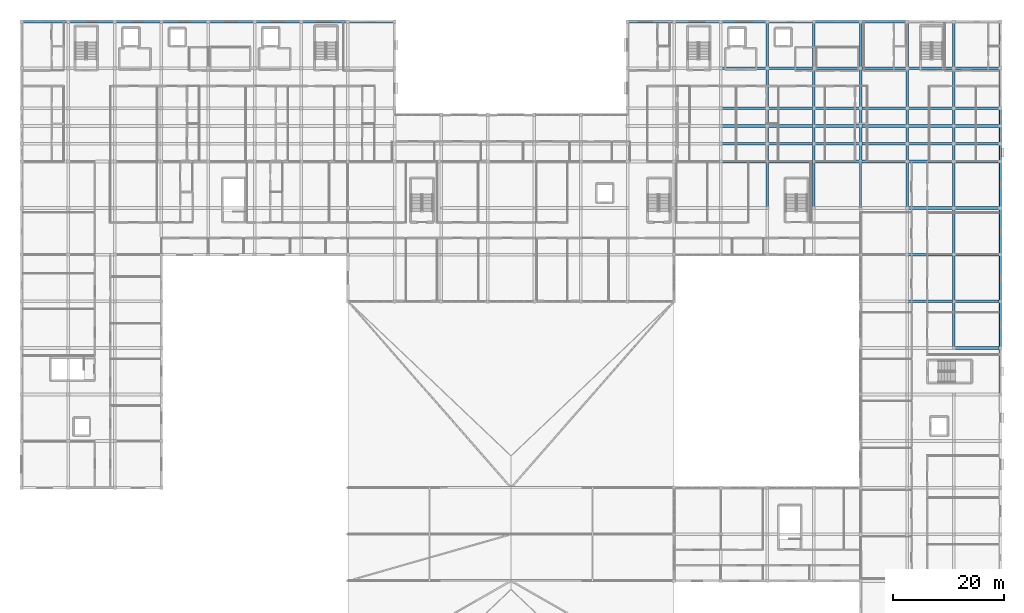
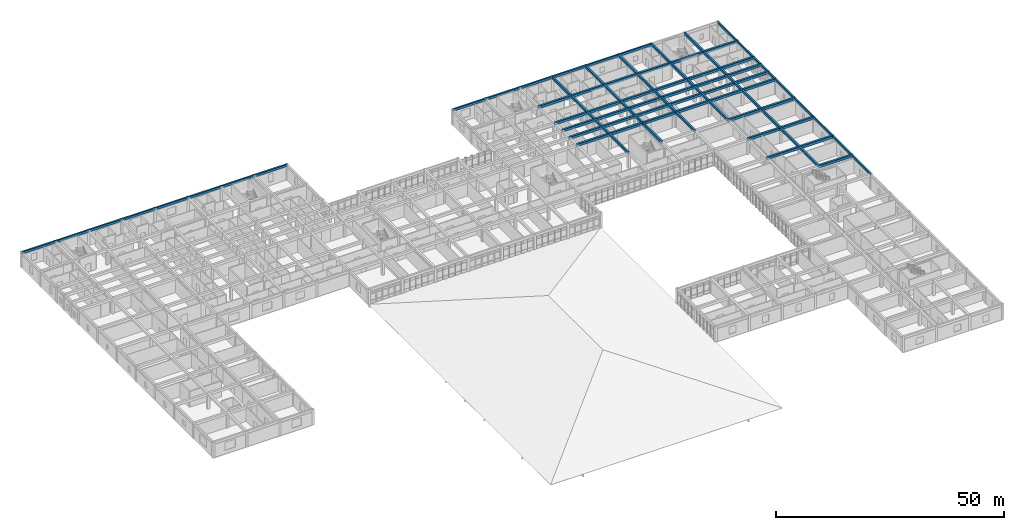
# One storey, part 31 of 77: 94 beams.
"""IFC4 building model written with IfcOpenShell, lengths in metres."""

from ifc_helpers import new_model, si_unit, direction, frame, origin, origin_2d, place, context, subcontext, project, spatial, rectangle, extrude, material, material_profile, profile_set, type_object, element, save


model = new_model("IFC4")

# Units and contexts
model_context = context("Model", 3, precision=1e-05, world=origin(), true_north=direction((0.0, 1.0)))
body_context = subcontext(model_context, "Body", "Model", "MODEL_VIEW")
ifc_project = project(units=[si_unit("LENGTHUNIT", "METRE"), si_unit("AREAUNIT", "SQUARE_METRE"), si_unit("VOLUMEUNIT", "CUBIC_METRE"), si_unit("PLANEANGLEUNIT", "RADIAN"), si_unit("MASSUNIT", "GRAM", prefix="KILO")], contexts=[model_context])

# Site, building, storey
site_placement = place(None, origin())
site = spatial("IfcSite", under=ifc_project, at=site_placement, CompositionType="ELEMENT")
building_placement = place(site_placement, origin())
building = spatial("IfcBuilding", under=site, at=building_placement, Name="Varncliffe General Hospital", CompositionType="ELEMENT")
storey_placement = place(building_placement, frame((0.0, 0.0, 16.199951171875)))
storey = spatial("IfcBuildingStorey", under=building, at=storey_placement, Name="L03", CompositionType="ELEMENT", Elevation=16.199951171875)

# Beams
ifc_material = material(Name="Concrete C35/45 (CSA A23.1 35 MPa)", Category="concrete")
ifc_material_profile_1 = material_profile(ifc_material, rectangle(XDim=0.5, YDim=0.64990234375, at=origin_2d()), Name="RC 500x650")
ifc_profile_set_1 = profile_set([ifc_material_profile_1], Name="Concrete C35/45 (CSA A23.1 35 MPa)")
beam_type_1 = type_object("IfcBeamType", Name="Beam B29 (Int RC 500x650)", PredefinedType="BEAM", material=ifc_profile_set_1)
for number, where, z_axis, x_axis, name in (
    (1, (168.0, 66.0, 3.875), (1.0, 0.0, 0.0), (0.0, 1.0, 0.0), "L03 Primary Beam B29-51"),
    (2, (159.60009765625, 74.39990234375, 3.875), (1.0, 0.0, 0.0), (0.0, 1.0, 0.0), "L03 Primary Beam B29-63"),
    (3, (168.0, 74.39990234375, 3.875), (1.0, 0.0, 0.0), (0.0, 1.0, 0.0), "L03 Primary Beam B29-64"),
    (4, (159.60009765625, 82.800048828125, 3.875), (1.0, 0.0, 0.0), (0.0, 1.0, 0.0), "L03 Primary Beam B29-84"),
    (5, (168.0, 82.800048828125, 3.875), (1.0, 0.0, 0.0), (0.0, 1.0, 0.0), "L03 Primary Beam B29-85"),
    (6, (159.60009765625, 91.199951171875, 3.875), (1.0, 0.0, 0.0), (0.0, 1.0, 0.0), "L03 Primary Beam B29-102"),
    (7, (168.0, 91.199951171875, 3.875), (1.0, 0.0, 0.0), (0.0, 1.0, 0.0), "L03 Primary Beam B29-103"),
    (8, (126.0, 99.60009765625, 3.875), (1.0, 0.0, 0.0), (0.0, 1.0, 0.0), "L03 Primary Beam B29-119"),
):
    element("IfcBeam", number, at=place(storey_placement, frame(where, z_axis=z_axis, x_axis=x_axis)), inside=storey, type_object=beam_type_1, Name=name, PredefinedType="BEAM", context=body_context, shape_type="SweptSolid", body=[
        extrude(rectangle(XDim=0.5, YDim=0.64990234375, at=origin_2d()), origin(), (0.0, 0.0, 1.0), 8.39990234375),
    ])
beam_1_placement = place(storey_placement, frame((134.39990234375, 99.60009765625, 3.875), z_axis=(1.0, 0.0, 0.0), x_axis=(0.0, 1.0, 0.0)))
element("IfcBeam", 9, at=beam_1_placement, inside=storey, type_object=beam_type_1, Name="L03 Primary Beam B29-120", PredefinedType="BEAM", context=body_context, shape_type="SweptSolid", body=[
    extrude(rectangle(XDim=0.5, YDim=0.64990234375, at=origin_2d()), origin(), (0.0, 0.0, 1.0), 8.400146484375),
])
beam_2_placement = place(storey_placement, frame((142.800048828125, 99.60009765625, 3.875), z_axis=(1.0, 0.0, 0.0), x_axis=(0.0, 1.0, 0.0)))
element("IfcBeam", 10, at=beam_2_placement, inside=storey, type_object=beam_type_1, Name="L03 Primary Beam B29-121", PredefinedType="BEAM", context=body_context, shape_type="SweptSolid", body=[
    extrude(rectangle(XDim=0.5, YDim=0.64990234375, at=origin_2d()), origin(), (0.0, 0.0, 1.0), 8.39990234375),
])
beam_3_placement = place(storey_placement, frame((151.199951171875, 99.60009765625, 3.875), z_axis=(1.0, 0.0, 0.0), x_axis=(0.0, 1.0, 0.0)))
element("IfcBeam", 11, at=beam_3_placement, inside=storey, type_object=beam_type_1, Name="L03 Primary Beam B29-122", PredefinedType="BEAM", context=body_context, shape_type="SweptSolid", body=[
    extrude(rectangle(XDim=0.5, YDim=0.64990234375, at=origin_2d()), origin(), (0.0, 0.0, 1.0), 8.400146484375),
])
for number, where, z_axis, x_axis, name in (
    (12, (159.60009765625, 99.60009765625, 3.875), (1.0, 0.0, 0.0), (0.0, 1.0, 0.0), "L03 Primary Beam B29-123"),
    (13, (168.0, 99.60009765625, 3.875), (1.0, 0.0, 0.0), (0.0, 1.0, 0.0), "L03 Primary Beam B29-124"),
    (14, (126.0, 102.800048828125, 3.875), (1.0, 0.0, 0.0), (0.0, 1.0, 0.0), "L03 Primary Beam B29-140"),
):
    element("IfcBeam", number, at=place(storey_placement, frame(where, z_axis=z_axis, x_axis=x_axis)), inside=storey, type_object=beam_type_1, Name=name, PredefinedType="BEAM", context=body_context, shape_type="SweptSolid", body=[
        extrude(rectangle(XDim=0.5, YDim=0.64990234375, at=origin_2d()), origin(), (0.0, 0.0, 1.0), 8.39990234375),
    ])
beam_4_placement = place(storey_placement, frame((134.39990234375, 102.800048828125, 3.875), z_axis=(1.0, 0.0, 0.0), x_axis=(0.0, 1.0, 0.0)))
element("IfcBeam", 15, at=beam_4_placement, inside=storey, type_object=beam_type_1, Name="L03 Primary Beam B29-141", PredefinedType="BEAM", context=body_context, shape_type="SweptSolid", body=[
    extrude(rectangle(XDim=0.5, YDim=0.64990234375, at=origin_2d()), origin(), (0.0, 0.0, 1.0), 8.400146484375),
])
beam_5_placement = place(storey_placement, frame((142.800048828125, 102.800048828125, 3.875), z_axis=(1.0, 0.0, 0.0), x_axis=(0.0, 1.0, 0.0)))
element("IfcBeam", 16, at=beam_5_placement, inside=storey, type_object=beam_type_1, Name="L03 Primary Beam B29-142", PredefinedType="BEAM", context=body_context, shape_type="SweptSolid", body=[
    extrude(rectangle(XDim=0.5, YDim=0.64990234375, at=origin_2d()), origin(), (0.0, 0.0, 1.0), 8.39990234375),
])
beam_6_placement = place(storey_placement, frame((151.199951171875, 102.800048828125, 3.875), z_axis=(1.0, 0.0, 0.0), x_axis=(0.0, 1.0, 0.0)))
element("IfcBeam", 17, at=beam_6_placement, inside=storey, type_object=beam_type_1, Name="L03 Primary Beam B29-143", PredefinedType="BEAM", context=body_context, shape_type="SweptSolid", body=[
    extrude(rectangle(XDim=0.5, YDim=0.64990234375, at=origin_2d()), origin(), (0.0, 0.0, 1.0), 8.400146484375),
])
for number, where, z_axis, x_axis, name in (
    (18, (159.60009765625, 102.800048828125, 3.875), (1.0, 0.0, 0.0), (0.0, 1.0, 0.0), "L03 Primary Beam B29-144"),
    (19, (168.0, 102.800048828125, 3.875), (1.0, 0.0, 0.0), (0.0, 1.0, 0.0), "L03 Primary Beam B29-145"),
    (20, (126.0, 106.0, 3.875), (1.0, 0.0, 0.0), (0.0, 1.0, 0.0), "L03 Primary Beam B29-156"),
):
    element("IfcBeam", number, at=place(storey_placement, frame(where, z_axis=z_axis, x_axis=x_axis)), inside=storey, type_object=beam_type_1, Name=name, PredefinedType="BEAM", context=body_context, shape_type="SweptSolid", body=[
        extrude(rectangle(XDim=0.5, YDim=0.64990234375, at=origin_2d()), origin(), (0.0, 0.0, 1.0), 8.39990234375),
    ])
beam_7_placement = place(storey_placement, frame((134.39990234375, 106.0, 3.875), z_axis=(1.0, 0.0, 0.0), x_axis=(0.0, 1.0, 0.0)))
element("IfcBeam", 21, at=beam_7_placement, inside=storey, type_object=beam_type_1, Name="L03 Primary Beam B29-157", PredefinedType="BEAM", context=body_context, shape_type="SweptSolid", body=[
    extrude(rectangle(XDim=0.5, YDim=0.64990234375, at=origin_2d()), origin(), (0.0, 0.0, 1.0), 8.400146484375),
])
beam_8_placement = place(storey_placement, frame((142.800048828125, 106.0, 3.875), z_axis=(1.0, 0.0, 0.0), x_axis=(0.0, 1.0, 0.0)))
element("IfcBeam", 22, at=beam_8_placement, inside=storey, type_object=beam_type_1, Name="L03 Primary Beam B29-158", PredefinedType="BEAM", context=body_context, shape_type="SweptSolid", body=[
    extrude(rectangle(XDim=0.5, YDim=0.64990234375, at=origin_2d()), origin(), (0.0, 0.0, 1.0), 8.39990234375),
])
beam_9_placement = place(storey_placement, frame((151.199951171875, 106.0, 3.875), z_axis=(1.0, 0.0, 0.0), x_axis=(0.0, 1.0, 0.0)))
element("IfcBeam", 23, at=beam_9_placement, inside=storey, type_object=beam_type_1, Name="L03 Primary Beam B29-159", PredefinedType="BEAM", context=body_context, shape_type="SweptSolid", body=[
    extrude(rectangle(XDim=0.5, YDim=0.64990234375, at=origin_2d()), origin(), (0.0, 0.0, 1.0), 8.400146484375),
])
for number, where, z_axis, x_axis, name in (
    (24, (159.60009765625, 106.0, 3.875), (1.0, 0.0, 0.0), (0.0, 1.0, 0.0), "L03 Primary Beam B29-160"),
    (25, (168.0, 106.0, 3.875), (1.0, 0.0, 0.0), (0.0, 1.0, 0.0), "L03 Primary Beam B29-161"),
    (26, (126.0, 109.199951171875, 3.875), (1.0, 0.0, 0.0), (0.0, 1.0, 0.0), "L03 Primary Beam B29-175"),
):
    element("IfcBeam", number, at=place(storey_placement, frame(where, z_axis=z_axis, x_axis=x_axis)), inside=storey, type_object=beam_type_1, Name=name, PredefinedType="BEAM", context=body_context, shape_type="SweptSolid", body=[
        extrude(rectangle(XDim=0.5, YDim=0.64990234375, at=origin_2d()), origin(), (0.0, 0.0, 1.0), 8.39990234375),
    ])
beam_10_placement = place(storey_placement, frame((134.39990234375, 109.199951171875, 3.875), z_axis=(1.0, 0.0, 0.0), x_axis=(0.0, 1.0, 0.0)))
element("IfcBeam", 27, at=beam_10_placement, inside=storey, type_object=beam_type_1, Name="L03 Primary Beam B29-176", PredefinedType="BEAM", context=body_context, shape_type="SweptSolid", body=[
    extrude(rectangle(XDim=0.5, YDim=0.64990234375, at=origin_2d()), origin(), (0.0, 0.0, 1.0), 8.400146484375),
])
beam_11_placement = place(storey_placement, frame((142.800048828125, 109.199951171875, 3.875), z_axis=(1.0, 0.0, 0.0), x_axis=(0.0, 1.0, 0.0)))
element("IfcBeam", 28, at=beam_11_placement, inside=storey, type_object=beam_type_1, Name="L03 Primary Beam B29-177", PredefinedType="BEAM", context=body_context, shape_type="SweptSolid", body=[
    extrude(rectangle(XDim=0.5, YDim=0.64990234375, at=origin_2d()), origin(), (0.0, 0.0, 1.0), 8.39990234375),
])
beam_12_placement = place(storey_placement, frame((151.199951171875, 109.199951171875, 3.875), z_axis=(1.0, 0.0, 0.0), x_axis=(0.0, 1.0, 0.0)))
element("IfcBeam", 29, at=beam_12_placement, inside=storey, type_object=beam_type_1, Name="L03 Primary Beam B29-178", PredefinedType="BEAM", context=body_context, shape_type="SweptSolid", body=[
    extrude(rectangle(XDim=0.5, YDim=0.64990234375, at=origin_2d()), origin(), (0.0, 0.0, 1.0), 8.400146484375),
])
for number, where, z_axis, x_axis, name in (
    (30, (159.60009765625, 109.199951171875, 3.875), (1.0, 0.0, 0.0), (0.0, 1.0, 0.0), "L03 Primary Beam B29-179"),
    (31, (168.0, 109.199951171875, 3.875), (1.0, 0.0, 0.0), (0.0, 1.0, 0.0), "L03 Primary Beam B29-180"),
    (32, (126.0, 116.39990234375, 3.875), (1.0, 0.0, 0.0), (0.0, 1.0, 0.0), "L03 Primary Beam B29-191"),
):
    element("IfcBeam", number, at=place(storey_placement, frame(where, z_axis=z_axis, x_axis=x_axis)), inside=storey, type_object=beam_type_1, Name=name, PredefinedType="BEAM", context=body_context, shape_type="SweptSolid", body=[
        extrude(rectangle(XDim=0.5, YDim=0.64990234375, at=origin_2d()), origin(), (0.0, 0.0, 1.0), 8.39990234375),
    ])
beam_13_placement = place(storey_placement, frame((134.39990234375, 116.39990234375, 3.875), z_axis=(1.0, 0.0, 0.0), x_axis=(0.0, 1.0, 0.0)))
element("IfcBeam", 33, at=beam_13_placement, inside=storey, type_object=beam_type_1, Name="L03 Primary Beam B29-192", PredefinedType="BEAM", context=body_context, shape_type="SweptSolid", body=[
    extrude(rectangle(XDim=0.5, YDim=0.64990234375, at=origin_2d()), origin(), (0.0, 0.0, 1.0), 8.400146484375),
])
beam_14_placement = place(storey_placement, frame((142.800048828125, 116.39990234375, 3.875), z_axis=(1.0, 0.0, 0.0), x_axis=(0.0, 1.0, 0.0)))
element("IfcBeam", 34, at=beam_14_placement, inside=storey, type_object=beam_type_1, Name="L03 Primary Beam B29-193", PredefinedType="BEAM", context=body_context, shape_type="SweptSolid", body=[
    extrude(rectangle(XDim=0.5, YDim=0.64990234375, at=origin_2d()), origin(), (0.0, 0.0, 1.0), 8.39990234375),
])
beam_15_placement = place(storey_placement, frame((151.199951171875, 116.39990234375, 3.875), z_axis=(1.0, 0.0, 0.0), x_axis=(0.0, 1.0, 0.0)))
element("IfcBeam", 35, at=beam_15_placement, inside=storey, type_object=beam_type_1, Name="L03 Primary Beam B29-194", PredefinedType="BEAM", context=body_context, shape_type="SweptSolid", body=[
    extrude(rectangle(XDim=0.5, YDim=0.64990234375, at=origin_2d()), origin(), (0.0, 0.0, 1.0), 8.400146484375),
])
for number, where, z_axis, x_axis, name in (
    (36, (159.60009765625, 116.39990234375, 3.875), (1.0, 0.0, 0.0), (0.0, 1.0, 0.0), "L03 Primary Beam B29-195"),
    (37, (168.0, 116.39990234375, 3.875), (1.0, 0.0, 0.0), (0.0, 1.0, 0.0), "L03 Primary Beam B29-196"),
):
    element("IfcBeam", number, at=place(storey_placement, frame(where, z_axis=z_axis, x_axis=x_axis)), inside=storey, type_object=beam_type_1, Name=name, PredefinedType="BEAM", context=body_context, shape_type="SweptSolid", body=[
        extrude(rectangle(XDim=0.5, YDim=0.64990234375, at=origin_2d()), origin(), (0.0, 0.0, 1.0), 8.39990234375),
    ])
ifc_material_profile_2 = material_profile(ifc_material, rectangle(XDim=0.449951171875, YDim=0.60009765625, at=origin_2d()), Name="RC 450x600")
ifc_profile_set_2 = profile_set([ifc_material_profile_2], Name="Concrete C35/45 (CSA A23.1 35 MPa)")
beam_type_2 = type_object("IfcBeamType", Name="Beam B47 (Int RC 450x600)", PredefinedType="BEAM", material=ifc_profile_set_2)
beam_16_placement = place(storey_placement, frame((134.39990234375, 91.199951171875, 3.900146484375), z_axis=(0.0, 1.0, 0.0), x_axis=(-1.0, 0.0, 0.0)))
element("IfcBeam", 38, at=beam_16_placement, inside=storey, type_object=beam_type_2, Name="L03 Primary Beam B47-348", PredefinedType="BEAM", context=body_context, shape_type="SweptSolid", body=[
    extrude(rectangle(XDim=0.449951171875, YDim=0.60009765625, at=origin_2d()), origin(), (0.0, 0.0, 1.0), 8.400146484375),
])
for number, where, z_axis, x_axis, name in (
    (39, (134.39990234375, 99.60009765625, 3.900146484375), (0.0, 1.0, 0.0), (-1.0, 0.0, 0.0), "L03 Primary Beam B47-349"),
    (40, (134.39990234375, 102.800048828125, 3.900146484375), (0.0, 1.0, 0.0), (-1.0, 0.0, 0.0), "L03 Primary Beam B47-350"),
    (41, (134.39990234375, 106.0, 3.900146484375), (0.0, 1.0, 0.0), (-1.0, 0.0, 0.0), "L03 Primary Beam B47-351"),
):
    element("IfcBeam", number, at=place(storey_placement, frame(where, z_axis=z_axis, x_axis=x_axis)), inside=storey, type_object=beam_type_2, Name=name, PredefinedType="BEAM", context=body_context, shape_type="SweptSolid", body=[
        extrude(rectangle(XDim=0.449951171875, YDim=0.60009765625, at=origin_2d()), origin(), (0.0, 0.0, 1.0), 3.199951171875),
    ])
beam_17_placement = place(storey_placement, frame((134.39990234375, 109.199951171875, 3.900146484375), z_axis=(0.0, 1.0, 0.0), x_axis=(-1.0, 0.0, 0.0)))
element("IfcBeam", 42, at=beam_17_placement, inside=storey, type_object=beam_type_2, Name="L03 Primary Beam B47-352", PredefinedType="BEAM", context=body_context, shape_type="SweptSolid", body=[
    extrude(rectangle(XDim=0.449951171875, YDim=0.60009765625, at=origin_2d()), origin(), (0.0, 0.0, 1.0), 7.199951171875),
])
for number, where, z_axis, x_axis, name in (
    (43, (134.39990234375, 116.39990234375, 3.900146484375), (0.0, 1.0, 0.0), (-1.0, 0.0, 0.0), "L03 Primary Beam B47-353"),
    (44, (142.800048828125, 91.199951171875, 3.900146484375), (0.0, 1.0, 0.0), (-1.0, 0.0, 0.0), "L03 Primary Beam B47-357"),
):
    element("IfcBeam", number, at=place(storey_placement, frame(where, z_axis=z_axis, x_axis=x_axis)), inside=storey, type_object=beam_type_2, Name=name, PredefinedType="BEAM", context=body_context, shape_type="SweptSolid", body=[
        extrude(rectangle(XDim=0.449951171875, YDim=0.60009765625, at=origin_2d()), origin(), (0.0, 0.0, 1.0), 8.400146484375),
    ])
for number, where, z_axis, x_axis, name in (
    (45, (142.800048828125, 99.60009765625, 3.900146484375), (0.0, 1.0, 0.0), (-1.0, 0.0, 0.0), "L03 Primary Beam B47-358"),
    (46, (142.800048828125, 102.800048828125, 3.900146484375), (0.0, 1.0, 0.0), (-1.0, 0.0, 0.0), "L03 Primary Beam B47-359"),
    (47, (142.800048828125, 106.0, 3.900146484375), (0.0, 1.0, 0.0), (-1.0, 0.0, 0.0), "L03 Primary Beam B47-360"),
):
    element("IfcBeam", number, at=place(storey_placement, frame(where, z_axis=z_axis, x_axis=x_axis)), inside=storey, type_object=beam_type_2, Name=name, PredefinedType="BEAM", context=body_context, shape_type="SweptSolid", body=[
        extrude(rectangle(XDim=0.449951171875, YDim=0.60009765625, at=origin_2d()), origin(), (0.0, 0.0, 1.0), 3.199951171875),
    ])
beam_18_placement = place(storey_placement, frame((142.800048828125, 109.199951171875, 3.900146484375), z_axis=(0.0, 1.0, 0.0), x_axis=(-1.0, 0.0, 0.0)))
element("IfcBeam", 48, at=beam_18_placement, inside=storey, type_object=beam_type_2, Name="L03 Primary Beam B47-361", PredefinedType="BEAM", context=body_context, shape_type="SweptSolid", body=[
    extrude(rectangle(XDim=0.449951171875, YDim=0.60009765625, at=origin_2d()), origin(), (0.0, 0.0, 1.0), 7.199951171875),
])
for number, where, z_axis, x_axis, name in (
    (49, (142.800048828125, 116.39990234375, 3.900146484375), (0.0, 1.0, 0.0), (-1.0, 0.0, 0.0), "L03 Primary Beam B47-362"),
    (50, (151.199951171875, 91.199951171875, 3.900146484375), (0.0, 1.0, 0.0), (-1.0, 0.0, 0.0), "L03 Primary Beam B47-374"),
):
    element("IfcBeam", number, at=place(storey_placement, frame(where, z_axis=z_axis, x_axis=x_axis)), inside=storey, type_object=beam_type_2, Name=name, PredefinedType="BEAM", context=body_context, shape_type="SweptSolid", body=[
        extrude(rectangle(XDim=0.449951171875, YDim=0.60009765625, at=origin_2d()), origin(), (0.0, 0.0, 1.0), 8.400146484375),
    ])
for number, where, z_axis, x_axis, name in (
    (51, (151.199951171875, 99.60009765625, 3.900146484375), (0.0, 1.0, 0.0), (-1.0, 0.0, 0.0), "L03 Primary Beam B47-375"),
    (52, (151.199951171875, 102.800048828125, 3.900146484375), (0.0, 1.0, 0.0), (-1.0, 0.0, 0.0), "L03 Primary Beam B47-376"),
    (53, (151.199951171875, 106.0, 3.900146484375), (0.0, 1.0, 0.0), (-1.0, 0.0, 0.0), "L03 Primary Beam B47-377"),
):
    element("IfcBeam", number, at=place(storey_placement, frame(where, z_axis=z_axis, x_axis=x_axis)), inside=storey, type_object=beam_type_2, Name=name, PredefinedType="BEAM", context=body_context, shape_type="SweptSolid", body=[
        extrude(rectangle(XDim=0.449951171875, YDim=0.60009765625, at=origin_2d()), origin(), (0.0, 0.0, 1.0), 3.199951171875),
    ])
beam_19_placement = place(storey_placement, frame((151.199951171875, 109.199951171875, 3.900146484375), z_axis=(0.0, 1.0, 0.0), x_axis=(-1.0, 0.0, 0.0)))
element("IfcBeam", 54, at=beam_19_placement, inside=storey, type_object=beam_type_2, Name="L03 Primary Beam B47-378", PredefinedType="BEAM", context=body_context, shape_type="SweptSolid", body=[
    extrude(rectangle(XDim=0.449951171875, YDim=0.60009765625, at=origin_2d()), origin(), (0.0, 0.0, 1.0), 7.199951171875),
])
for number, where, z_axis, x_axis, name in (
    (55, (151.199951171875, 116.39990234375, 3.900146484375), (0.0, 1.0, 0.0), (-1.0, 0.0, 0.0), "L03 Primary Beam B47-379"),
    (56, (159.60009765625, 91.199951171875, 3.900146484375), (0.0, 1.0, 0.0), (-1.0, 0.0, 0.0), "L03 Primary Beam B47-391"),
):
    element("IfcBeam", number, at=place(storey_placement, frame(where, z_axis=z_axis, x_axis=x_axis)), inside=storey, type_object=beam_type_2, Name=name, PredefinedType="BEAM", context=body_context, shape_type="SweptSolid", body=[
        extrude(rectangle(XDim=0.449951171875, YDim=0.60009765625, at=origin_2d()), origin(), (0.0, 0.0, 1.0), 8.400146484375),
    ])
for number, where, z_axis, x_axis, name in (
    (57, (159.60009765625, 99.60009765625, 3.900146484375), (0.0, 1.0, 0.0), (-1.0, 0.0, 0.0), "L03 Primary Beam B47-392"),
    (58, (159.60009765625, 102.800048828125, 3.900146484375), (0.0, 1.0, 0.0), (-1.0, 0.0, 0.0), "L03 Primary Beam B47-393"),
    (59, (159.60009765625, 106.0, 3.900146484375), (0.0, 1.0, 0.0), (-1.0, 0.0, 0.0), "L03 Primary Beam B47-394"),
):
    element("IfcBeam", number, at=place(storey_placement, frame(where, z_axis=z_axis, x_axis=x_axis)), inside=storey, type_object=beam_type_2, Name=name, PredefinedType="BEAM", context=body_context, shape_type="SweptSolid", body=[
        extrude(rectangle(XDim=0.449951171875, YDim=0.60009765625, at=origin_2d()), origin(), (0.0, 0.0, 1.0), 3.199951171875),
    ])
beam_20_placement = place(storey_placement, frame((159.60009765625, 109.199951171875, 3.900146484375), z_axis=(0.0, 1.0, 0.0), x_axis=(-1.0, 0.0, 0.0)))
element("IfcBeam", 60, at=beam_20_placement, inside=storey, type_object=beam_type_2, Name="L03 Primary Beam B47-395", PredefinedType="BEAM", context=body_context, shape_type="SweptSolid", body=[
    extrude(rectangle(XDim=0.449951171875, YDim=0.60009765625, at=origin_2d()), origin(), (0.0, 0.0, 1.0), 7.199951171875),
])
beam_21_placement = place(storey_placement, frame((159.60009765625, 116.39990234375, 3.900146484375), z_axis=(0.0, 1.0, 0.0), x_axis=(-1.0, 0.0, 0.0)))
element("IfcBeam", 61, at=beam_21_placement, inside=storey, type_object=beam_type_2, Name="L03 Primary Beam B47-396", PredefinedType="BEAM", context=body_context, shape_type="SweptSolid", body=[
    extrude(rectangle(XDim=0.449951171875, YDim=0.60009765625, at=origin_2d()), origin(), (0.0, 0.0, 1.0), 8.400146484375),
])
beam_22_placement = place(storey_placement, frame((168.0, 66.0, 3.900146484375), z_axis=(0.0, 1.0, 0.0), x_axis=(-1.0, 0.0, 0.0)))
element("IfcBeam", 62, at=beam_22_placement, inside=storey, type_object=beam_type_2, Name="L03 Primary Beam B47-403", PredefinedType="BEAM", context=body_context, shape_type="SweptSolid", body=[
    extrude(rectangle(XDim=0.449951171875, YDim=0.60009765625, at=origin_2d()), origin(), (0.0, 0.0, 1.0), 8.39990234375),
])
beam_23_placement = place(storey_placement, frame((168.0, 74.39990234375, 3.900146484375), z_axis=(0.0, 1.0, 0.0), x_axis=(-1.0, 0.0, 0.0)))
element("IfcBeam", 63, at=beam_23_placement, inside=storey, type_object=beam_type_2, Name="L03 Primary Beam B47-404", PredefinedType="BEAM", context=body_context, shape_type="SweptSolid", body=[
    extrude(rectangle(XDim=0.449951171875, YDim=0.60009765625, at=origin_2d()), origin(), (0.0, 0.0, 1.0), 8.400146484375),
])
beam_24_placement = place(storey_placement, frame((168.0, 82.800048828125, 3.900146484375), z_axis=(0.0, 1.0, 0.0), x_axis=(-1.0, 0.0, 0.0)))
element("IfcBeam", 64, at=beam_24_placement, inside=storey, type_object=beam_type_2, Name="L03 Primary Beam B47-405", PredefinedType="BEAM", context=body_context, shape_type="SweptSolid", body=[
    extrude(rectangle(XDim=0.449951171875, YDim=0.60009765625, at=origin_2d()), origin(), (0.0, 0.0, 1.0), 8.39990234375),
])
beam_25_placement = place(storey_placement, frame((168.0, 91.199951171875, 3.900146484375), z_axis=(0.0, 1.0, 0.0), x_axis=(-1.0, 0.0, 0.0)))
element("IfcBeam", 65, at=beam_25_placement, inside=storey, type_object=beam_type_2, Name="L03 Primary Beam B47-406", PredefinedType="BEAM", context=body_context, shape_type="SweptSolid", body=[
    extrude(rectangle(XDim=0.449951171875, YDim=0.60009765625, at=origin_2d()), origin(), (0.0, 0.0, 1.0), 8.400146484375),
])
for number, where, z_axis, x_axis, name in (
    (66, (168.0, 99.60009765625, 3.900146484375), (0.0, 1.0, 0.0), (-1.0, 0.0, 0.0), "L03 Primary Beam B47-407"),
    (67, (168.0, 102.800048828125, 3.900146484375), (0.0, 1.0, 0.0), (-1.0, 0.0, 0.0), "L03 Primary Beam B47-408"),
    (68, (168.0, 106.0, 3.900146484375), (0.0, 1.0, 0.0), (-1.0, 0.0, 0.0), "L03 Primary Beam B47-409"),
):
    element("IfcBeam", number, at=place(storey_placement, frame(where, z_axis=z_axis, x_axis=x_axis)), inside=storey, type_object=beam_type_2, Name=name, PredefinedType="BEAM", context=body_context, shape_type="SweptSolid", body=[
        extrude(rectangle(XDim=0.449951171875, YDim=0.60009765625, at=origin_2d()), origin(), (0.0, 0.0, 1.0), 3.199951171875),
    ])
beam_26_placement = place(storey_placement, frame((168.0, 109.199951171875, 3.900146484375), z_axis=(0.0, 1.0, 0.0), x_axis=(-1.0, 0.0, 0.0)))
element("IfcBeam", 69, at=beam_26_placement, inside=storey, type_object=beam_type_2, Name="L03 Primary Beam B47-410", PredefinedType="BEAM", context=body_context, shape_type="SweptSolid", body=[
    extrude(rectangle(XDim=0.449951171875, YDim=0.60009765625, at=origin_2d()), origin(), (0.0, 0.0, 1.0), 7.199951171875),
])
beam_27_placement = place(storey_placement, frame((168.0, 116.39990234375, 3.900146484375), z_axis=(0.0, 1.0, 0.0), x_axis=(-1.0, 0.0, 0.0)))
element("IfcBeam", 70, at=beam_27_placement, inside=storey, type_object=beam_type_2, Name="L03 Primary Beam B47-411", PredefinedType="BEAM", context=body_context, shape_type="SweptSolid", body=[
    extrude(rectangle(XDim=0.449951171875, YDim=0.60009765625, at=origin_2d()), origin(), (0.0, 0.0, 1.0), 8.400146484375),
])
ifc_material_profile_3 = material_profile(ifc_material, rectangle(XDim=0.35009765625, YDim=0.550048828125, at=origin_2d()), Name="RC 350x550")
ifc_profile_set_3 = profile_set([ifc_material_profile_3], Name="Concrete C35/45 (CSA A23.1 35 MPa)")
beam_type_3 = type_object("IfcBeamType", Name="Spandrel SP20 (Ext RC 350x550)", PredefinedType="SPANDREL", material=ifc_profile_set_3)
for number, where, z_axis, x_axis, name in (
    (71, (176.39990234375, 57.60009765625, 3.925048828125), (0.0, 1.0, 0.0), (-1.0, 0.0, 0.0), "L03 Spandrel Beam SP20-419"),
    (72, (176.39990234375, 66.0, 3.925048828125), (0.0, 1.0, 0.0), (-1.0, 0.0, 0.0), "L03 Spandrel Beam SP20-420"),
):
    element("IfcBeam", number, at=place(storey_placement, frame(where, z_axis=z_axis, x_axis=x_axis)), inside=storey, type_object=beam_type_3, Name=name, PredefinedType="SPANDREL", context=body_context, shape_type="SweptSolid", body=[
        extrude(rectangle(XDim=0.35009765625, YDim=0.550048828125, at=origin_2d()), origin(), (0.0, 0.0, 1.0), 8.39990234375),
    ])
beam_28_placement = place(storey_placement, frame((176.39990234375, 74.39990234375, 3.925048828125), z_axis=(0.0, 1.0, 0.0), x_axis=(-1.0, 0.0, 0.0)))
element("IfcBeam", 73, at=beam_28_placement, inside=storey, type_object=beam_type_3, Name="L03 Spandrel Beam SP20-421", PredefinedType="SPANDREL", context=body_context, shape_type="SweptSolid", body=[
    extrude(rectangle(XDim=0.35009765625, YDim=0.550048828125, at=origin_2d()), origin(), (0.0, 0.0, 1.0), 8.400146484375),
])
beam_29_placement = place(storey_placement, frame((176.39990234375, 82.800048828125, 3.925048828125), z_axis=(0.0, 1.0, 0.0), x_axis=(-1.0, 0.0, 0.0)))
element("IfcBeam", 74, at=beam_29_placement, inside=storey, type_object=beam_type_3, Name="L03 Spandrel Beam SP20-422", PredefinedType="SPANDREL", context=body_context, shape_type="SweptSolid", body=[
    extrude(rectangle(XDim=0.35009765625, YDim=0.550048828125, at=origin_2d()), origin(), (0.0, 0.0, 1.0), 8.39990234375),
])
beam_30_placement = place(storey_placement, frame((176.39990234375, 91.199951171875, 3.925048828125), z_axis=(0.0, 1.0, 0.0), x_axis=(-1.0, 0.0, 0.0)))
element("IfcBeam", 75, at=beam_30_placement, inside=storey, type_object=beam_type_3, Name="L03 Spandrel Beam SP20-423", PredefinedType="SPANDREL", context=body_context, shape_type="SweptSolid", body=[
    extrude(rectangle(XDim=0.35009765625, YDim=0.550048828125, at=origin_2d()), origin(), (0.0, 0.0, 1.0), 8.400146484375),
])
for number, where, z_axis, x_axis, name in (
    (76, (176.39990234375, 99.60009765625, 3.925048828125), (0.0, 1.0, 0.0), (-1.0, 0.0, 0.0), "L03 Spandrel Beam SP20-424"),
    (77, (176.39990234375, 102.800048828125, 3.925048828125), (0.0, 1.0, 0.0), (-1.0, 0.0, 0.0), "L03 Spandrel Beam SP20-425"),
    (78, (176.39990234375, 106.0, 3.925048828125), (0.0, 1.0, 0.0), (-1.0, 0.0, 0.0), "L03 Spandrel Beam SP20-426"),
):
    element("IfcBeam", number, at=place(storey_placement, frame(where, z_axis=z_axis, x_axis=x_axis)), inside=storey, type_object=beam_type_3, Name=name, PredefinedType="SPANDREL", context=body_context, shape_type="SweptSolid", body=[
        extrude(rectangle(XDim=0.35009765625, YDim=0.550048828125, at=origin_2d()), origin(), (0.0, 0.0, 1.0), 3.199951171875),
    ])
beam_31_placement = place(storey_placement, frame((176.39990234375, 109.199951171875, 3.925048828125), z_axis=(0.0, 1.0, 0.0), x_axis=(-1.0, 0.0, 0.0)))
element("IfcBeam", 79, at=beam_31_placement, inside=storey, type_object=beam_type_3, Name="L03 Spandrel Beam SP20-427", PredefinedType="SPANDREL", context=body_context, shape_type="SweptSolid", body=[
    extrude(rectangle(XDim=0.35009765625, YDim=0.550048828125, at=origin_2d()), origin(), (0.0, 0.0, 1.0), 7.199951171875),
])
beam_32_placement = place(storey_placement, frame((176.39990234375, 116.39990234375, 3.925048828125), z_axis=(0.0, 1.0, 0.0), x_axis=(-1.0, 0.0, 0.0)))
element("IfcBeam", 80, at=beam_32_placement, inside=storey, type_object=beam_type_3, Name="L03 Spandrel Beam SP20-428", PredefinedType="SPANDREL", context=body_context, shape_type="SweptSolid", body=[
    extrude(rectangle(XDim=0.35009765625, YDim=0.550048828125, at=origin_2d()), origin(), (0.0, 0.0, 1.0), 8.400146484375),
])
ifc_material_profile_4 = material_profile(ifc_material, rectangle(XDim=0.39990234375, YDim=0.60009765625, at=origin_2d()), Name="RC 400x600")
ifc_profile_set_4 = profile_set([ifc_material_profile_4], Name="Concrete C35/45 (CSA A23.1 35 MPa)")
beam_type_4 = type_object("IfcBeamType", Name="Spandrel SP58 (Ext RC 400x600B)", PredefinedType="SPANDREL", material=ifc_profile_set_4)
beam_33_placement = place(storey_placement, frame((0.0, 124.800048828125, 3.900146484375), z_axis=(1.0, 0.0, 0.0), x_axis=(0.0, 1.0, 0.0)))
element("IfcBeam", 81, at=beam_33_placement, inside=storey, type_object=beam_type_4, Name="L03 Spandrel Beam SP58-197", PredefinedType="SPANDREL", context=body_context, shape_type="SweptSolid", body=[
    extrude(rectangle(XDim=0.39990234375, YDim=0.60009765625, at=origin_2d()), origin(), (0.0, 0.0, 1.0), 8.39990234375),
])
beam_34_placement = place(storey_placement, frame((8.39990234375, 124.800048828125, 3.900146484375), z_axis=(1.0, 0.0, 0.0), x_axis=(0.0, 1.0, 0.0)))
element("IfcBeam", 82, at=beam_34_placement, inside=storey, type_object=beam_type_4, Name="L03 Spandrel Beam SP58-198", PredefinedType="SPANDREL", context=body_context, shape_type="SweptSolid", body=[
    extrude(rectangle(XDim=0.39990234375, YDim=0.60009765625, at=origin_2d()), origin(), (0.0, 0.0, 1.0), 8.400146484375),
])
beam_35_placement = place(storey_placement, frame((16.800048828125, 124.800048828125, 3.900146484375), z_axis=(1.0, 0.0, 0.0), x_axis=(0.0, 1.0, 0.0)))
element("IfcBeam", 83, at=beam_35_placement, inside=storey, type_object=beam_type_4, Name="L03 Spandrel Beam SP58-199", PredefinedType="SPANDREL", context=body_context, shape_type="SweptSolid", body=[
    extrude(rectangle(XDim=0.39990234375, YDim=0.60009765625, at=origin_2d()), origin(), (0.0, 0.0, 1.0), 8.39990234375),
])
beam_36_placement = place(storey_placement, frame((25.199951171875, 124.800048828125, 3.900146484375), z_axis=(1.0, 0.0, 0.0), x_axis=(0.0, 1.0, 0.0)))
element("IfcBeam", 84, at=beam_36_placement, inside=storey, type_object=beam_type_4, Name="L03 Spandrel Beam SP58-200", PredefinedType="SPANDREL", context=body_context, shape_type="SweptSolid", body=[
    extrude(rectangle(XDim=0.39990234375, YDim=0.60009765625, at=origin_2d()), origin(), (0.0, 0.0, 1.0), 8.400146484375),
])
for number, where, z_axis, x_axis, name in (
    (85, (33.60009765625, 124.800048828125, 3.900146484375), (1.0, 0.0, 0.0), (0.0, 1.0, 0.0), "L03 Spandrel Beam SP58-201"),
    (86, (42.0, 124.800048828125, 3.900146484375), (1.0, 0.0, 0.0), (0.0, 1.0, 0.0), "L03 Spandrel Beam SP58-202"),
):
    element("IfcBeam", number, at=place(storey_placement, frame(where, z_axis=z_axis, x_axis=x_axis)), inside=storey, type_object=beam_type_4, Name=name, PredefinedType="SPANDREL", context=body_context, shape_type="SweptSolid", body=[
        extrude(rectangle(XDim=0.39990234375, YDim=0.60009765625, at=origin_2d()), origin(), (0.0, 0.0, 1.0), 8.39990234375),
    ])
beam_37_placement = place(storey_placement, frame((50.39990234375, 124.800048828125, 3.900146484375), z_axis=(1.0, 0.0, 0.0), x_axis=(0.0, 1.0, 0.0)))
element("IfcBeam", 87, at=beam_37_placement, inside=storey, type_object=beam_type_4, Name="L03 Spandrel Beam SP58-203", PredefinedType="SPANDREL", context=body_context, shape_type="SweptSolid", body=[
    extrude(rectangle(XDim=0.39990234375, YDim=0.60009765625, at=origin_2d()), origin(), (0.0, 0.0, 1.0), 8.400146484375),
])
beam_38_placement = place(storey_placement, frame((58.800048828125, 124.800048828125, 3.900146484375), z_axis=(1.0, 0.0, 0.0), x_axis=(0.0, 1.0, 0.0)))
element("IfcBeam", 88, at=beam_38_placement, inside=storey, type_object=beam_type_4, Name="L03 Spandrel Beam SP58-204", PredefinedType="SPANDREL", context=body_context, shape_type="SweptSolid", body=[
    extrude(rectangle(XDim=0.39990234375, YDim=0.60009765625, at=origin_2d()), origin(), (0.0, 0.0, 1.0), 8.39990234375),
])
beam_39_placement = place(storey_placement, frame((109.199951171875, 124.800048828125, 3.900146484375), z_axis=(1.0, 0.0, 0.0), x_axis=(0.0, 1.0, 0.0)))
element("IfcBeam", 89, at=beam_39_placement, inside=storey, type_object=beam_type_4, Name="L03 Spandrel Beam SP58-205", PredefinedType="SPANDREL", context=body_context, shape_type="SweptSolid", body=[
    extrude(rectangle(XDim=0.39990234375, YDim=0.60009765625, at=origin_2d()), origin(), (0.0, 0.0, 1.0), 8.400146484375),
])
for number, where, z_axis, x_axis, name in (
    (90, (117.60009765625, 124.800048828125, 3.900146484375), (1.0, 0.0, 0.0), (0.0, 1.0, 0.0), "L03 Spandrel Beam SP58-206"),
    (91, (126.0, 124.800048828125, 3.900146484375), (1.0, 0.0, 0.0), (0.0, 1.0, 0.0), "L03 Spandrel Beam SP58-207"),
):
    element("IfcBeam", number, at=place(storey_placement, frame(where, z_axis=z_axis, x_axis=x_axis)), inside=storey, type_object=beam_type_4, Name=name, PredefinedType="SPANDREL", context=body_context, shape_type="SweptSolid", body=[
        extrude(rectangle(XDim=0.39990234375, YDim=0.60009765625, at=origin_2d()), origin(), (0.0, 0.0, 1.0), 8.39990234375),
    ])
beam_40_placement = place(storey_placement, frame((134.39990234375, 124.800048828125, 3.900146484375), z_axis=(1.0, 0.0, 0.0), x_axis=(0.0, 1.0, 0.0)))
element("IfcBeam", 92, at=beam_40_placement, inside=storey, type_object=beam_type_4, Name="L03 Spandrel Beam SP58-208", PredefinedType="SPANDREL", context=body_context, shape_type="SweptSolid", body=[
    extrude(rectangle(XDim=0.39990234375, YDim=0.60009765625, at=origin_2d()), origin(), (0.0, 0.0, 1.0), 8.400146484375),
])
beam_41_placement = place(storey_placement, frame((142.800048828125, 124.800048828125, 3.900146484375), z_axis=(1.0, 0.0, 0.0), x_axis=(0.0, 1.0, 0.0)))
element("IfcBeam", 93, at=beam_41_placement, inside=storey, type_object=beam_type_4, Name="L03 Spandrel Beam SP58-209", PredefinedType="SPANDREL", context=body_context, shape_type="SweptSolid", body=[
    extrude(rectangle(XDim=0.39990234375, YDim=0.60009765625, at=origin_2d()), origin(), (0.0, 0.0, 1.0), 8.39990234375),
])
beam_42_placement = place(storey_placement, frame((151.199951171875, 124.800048828125, 3.900146484375), z_axis=(1.0, 0.0, 0.0), x_axis=(0.0, 1.0, 0.0)))
element("IfcBeam", 94, at=beam_42_placement, inside=storey, type_object=beam_type_4, Name="L03 Spandrel Beam SP58-210", PredefinedType="SPANDREL", context=body_context, shape_type="SweptSolid", body=[
    extrude(rectangle(XDim=0.39990234375, YDim=0.60009765625, at=origin_2d()), origin(), (0.0, 0.0, 1.0), 8.400146484375),
])

save(model, "model.ifc")
